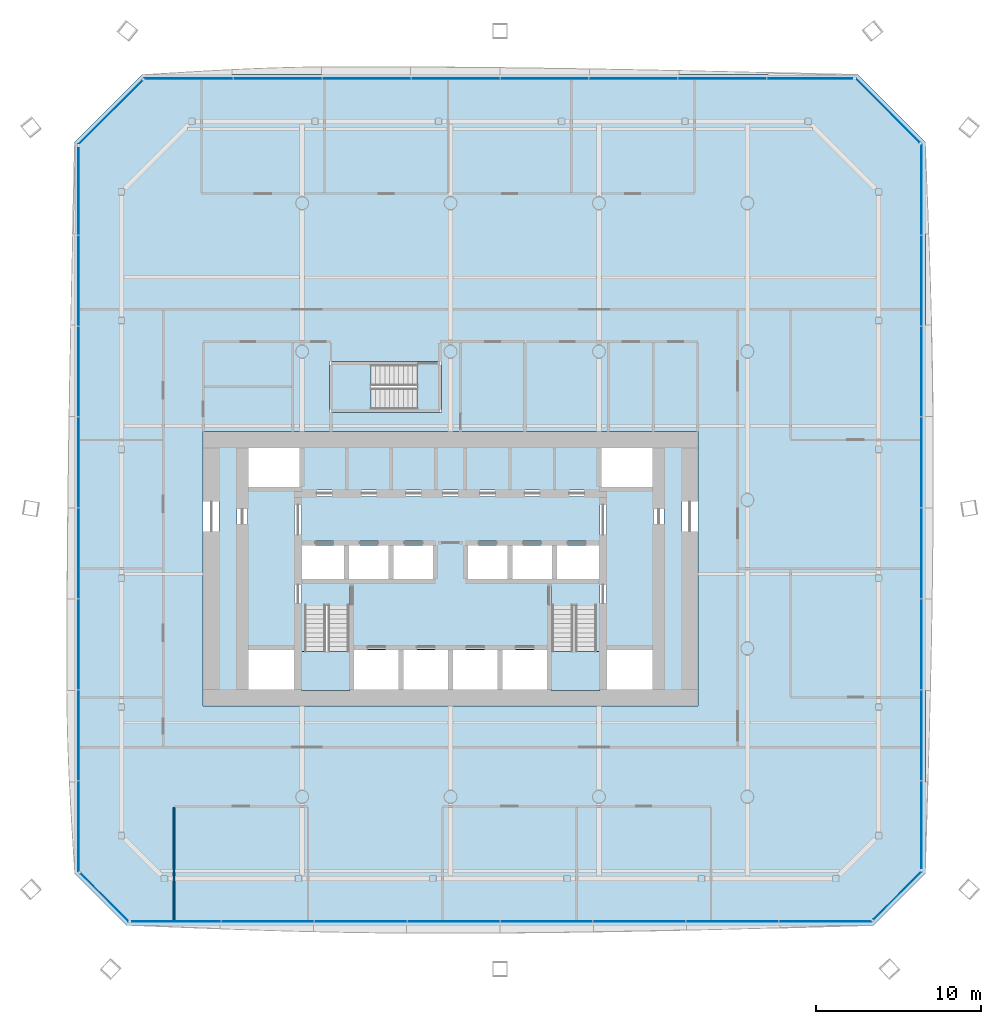
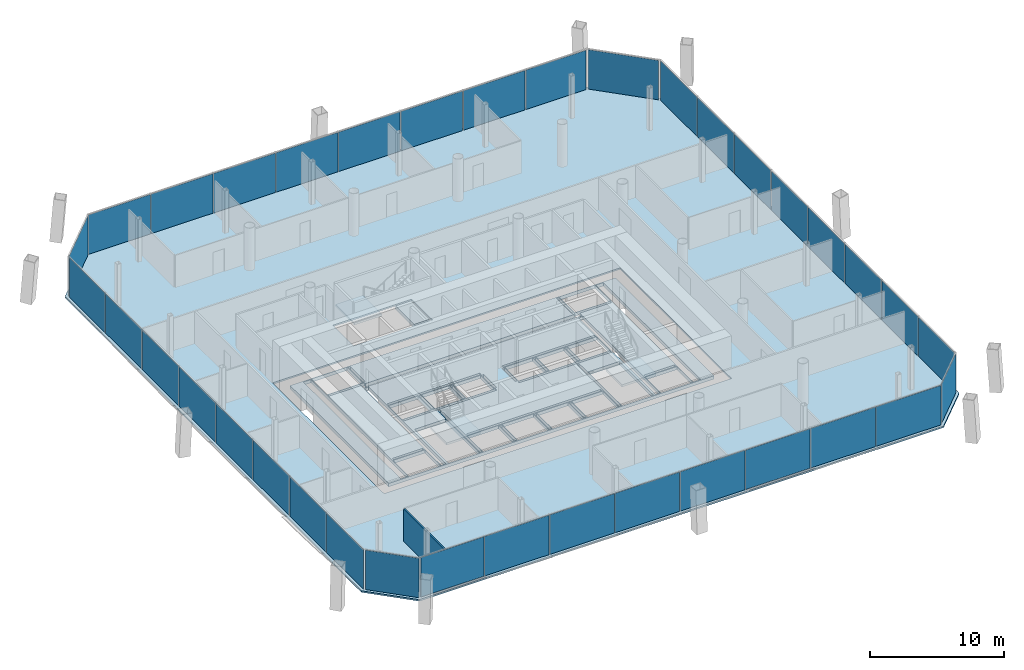
# One storey, part 11 of 20: 36 plates, 6 slabs, 1 wall, 11 elements without a shape of their own.
"""IFC4 building model written with IfcOpenShell, lengths in metres."""

from ifc_helpers import new_model, si_unit, direction, frame, frame_2d, origin, origin_2d, place, context, subcontext, project, spatial, polyline, rectangle, outline, extrude, material, layer, layer_set, type_object, element, aggregate, save


model = new_model("IFC4")

# Units and contexts
model_context = context("Model", 3, precision=1e-05, world=origin(), true_north=direction((0.0, 1.0)))
body_context = subcontext(model_context, "Body", "Model", "MODEL_VIEW")
ifc_project = project(units=[si_unit("LENGTHUNIT", "METRE"), si_unit("AREAUNIT", "SQUARE_METRE"), si_unit("VOLUMEUNIT", "CUBIC_METRE"), si_unit("PLANEANGLEUNIT", "RADIAN"), si_unit("MASSUNIT", "GRAM", prefix="KILO")], contexts=[model_context])

# Site, building, storey
site_placement = place(None, origin())
site = spatial("IfcSite", under=ifc_project, at=site_placement, CompositionType="ELEMENT")
building_placement = place(site_placement, origin())
building = spatial("IfcBuilding", under=site, at=building_placement, Name="Tskaro Facet Tower", CompositionType="ELEMENT")
storey_placement = place(building_placement, frame((0.0, 0.0, 66.0)))
storey = spatial("IfcBuildingStorey", under=building, at=storey_placement, Name="L15", CompositionType="ELEMENT", Elevation=66.0)

# Slab
ifc_material_1 = material(Name="Concrete C30/37", Category="concrete")
ifc_layer_1 = layer(ifc_material_1, 0.139892578125, Name="Concrete C30/37")
ifc_layer_set_1 = layer_set([ifc_layer_1], Name="Concrete C30/37")
slab_type_1 = type_object("IfcSlabType", Name="Composite deck floor slab", PredefinedType="FLOOR", material=ifc_layer_set_1)
slab_1_placement = place(storey_placement, frame((0.0, 0.0, -0.139892578125)))
element("IfcSlab", 1, at=slab_1_placement, inside=storey, type_object=slab_type_1, Name="Floor slab FS3 L15", PredefinedType="FLOOR", context=body_context, shape_type="SweptSolid", body=[
    extrude(outline(polyline([(-19.635009765625, -25.80908203125), (25.635009765625, -25.80908203125), (28.80908203125, -22.635009765625), (28.80908203125, 21.677978515625), (24.677978515625, 25.80908203125), (-18.677978515625, 25.80908203125), (-22.80908203125, 21.677978515625), (-22.80908203125, -22.635009765625), (-19.635009765625, -25.80908203125)]), holes=[polyline([(-15.0, -12.5), (15.0, -12.5), (15.0, 4.14990234375), (-15.0, 4.14990234375), (-15.0, -12.5)]), polyline([(-7.35009765625, 5.300048828125), (-0.550048828125, 5.300048828125), (-0.550048828125, 8.39990234375), (-7.35009765625, 8.39990234375), (-7.35009765625, 5.300048828125)])]), origin(), (0.0, 0.0, 1.0), 0.139892578125),
])

# Curtain wall, plates
ifc_material_2 = material(Name="Bronze anodised aluminium 6063-T6", Category="aluminium")
curtain_wall_type = type_object("IfcCurtainWallType", Name="Bronze office curtain wall (FW1)", PredefinedType="NOTDEFINED", material=ifc_material_2)
curtain_wall_1_placement = place(storey_placement, origin())
curtain_wall_1 = element("IfcCurtainWall", 2, at=curtain_wall_1_placement, inside=storey, type_object=curtain_wall_type, Name="FW1 south facet L15", PredefinedType="NOTDEFINED")
ifc_material_3 = material(Name="Bronze tinted glass", Category="glass")
ifc_layer_2 = layer(ifc_material_3, 0.031982421875, Name="Bronze tinted glass")
ifc_layer_set_2 = layer_set([ifc_layer_2], Name="Bronze tinted glass")
plate_type = type_object("IfcPlateType", Name="FW1 bronze-tinted unit glazing 32", PredefinedType="CURTAIN_PANEL", material=ifc_layer_set_2)
plate_1_placement = place(storey_placement, frame((-16.649658203125, -25.55908203125, 0.0), z_axis=(0.0, 0.0, 1.0), x_axis=(1.0, 0.0, 0.0)))
plate_1 = element("IfcPlate", 3, at=plate_1_placement, type_object=plate_type, Name="FW1 south glazing 1.1", PredefinedType="CURTAIN_PANEL", context=body_context, shape_type="SweptSolid", body=[
    extrude(rectangle(XDim=5.44287109375, YDim=0.031982421875, at=origin_2d()), origin(), (0.0, 0.0, 1.0), 3.60009765625),
])
plate_2_placement = place(storey_placement, frame((-11.081787109375, -25.55908203125, 0.0), z_axis=(0.0, 0.0, 1.0), x_axis=(1.0, 0.0, 0.0)))
plate_2 = element("IfcPlate", 4, at=plate_2_placement, type_object=plate_type, Name="FW1 south glazing 2.1", PredefinedType="CURTAIN_PANEL", context=body_context, shape_type="SweptSolid", body=[
    extrude(rectangle(XDim=5.57275390625, YDim=0.031982421875, at=origin_2d()), origin(), (0.0, 0.0, 1.0), 3.60009765625),
])
plate_3_placement = place(storey_placement, frame((-5.44921875, -25.55908203125, 0.0), z_axis=(0.0, 0.0, 1.0), x_axis=(1.0, 0.0, 0.0)))
plate_3 = element("IfcPlate", 5, at=plate_3_placement, type_object=plate_type, Name="FW1 south glazing 3.1", PredefinedType="CURTAIN_PANEL", context=body_context, shape_type="SweptSolid", body=[
    extrude(rectangle(XDim=5.57275390625, YDim=0.031982421875, at=origin_2d()), origin(), (0.0, 0.0, 1.0), 3.60009765625),
])
plate_4_placement = place(storey_placement, frame((0.18359375, -25.55908203125, 0.0), z_axis=(0.0, 0.0, 1.0), x_axis=(1.0, 0.0, 0.0)))
plate_4 = element("IfcPlate", 6, at=plate_4_placement, type_object=plate_type, Name="FW1 south glazing 4.1", PredefinedType="CURTAIN_PANEL", context=body_context, shape_type="SweptSolid", body=[
    extrude(rectangle(XDim=5.57275390625, YDim=0.031982421875, at=origin_2d()), origin(), (0.0, 0.0, 1.0), 3.60009765625),
])
plate_5_placement = place(storey_placement, frame((5.81640625, -25.55908203125, 0.0), z_axis=(0.0, 0.0, 1.0), x_axis=(1.0, 0.0, 0.0)))
plate_5 = element("IfcPlate", 7, at=plate_5_placement, type_object=plate_type, Name="FW1 south glazing 5.1", PredefinedType="CURTAIN_PANEL", context=body_context, shape_type="SweptSolid", body=[
    extrude(rectangle(XDim=5.57275390625, YDim=0.031982421875, at=origin_2d()), origin(), (0.0, 0.0, 1.0), 3.60009765625),
])
plate_6_placement = place(storey_placement, frame((11.44921875, -25.55908203125, 0.0), z_axis=(0.0, 0.0, 1.0), x_axis=(1.0, 0.0, 0.0)))
plate_6 = element("IfcPlate", 8, at=plate_6_placement, type_object=plate_type, Name="FW1 south glazing 6.1", PredefinedType="CURTAIN_PANEL", context=body_context, shape_type="SweptSolid", body=[
    extrude(rectangle(XDim=5.57275390625, YDim=0.031982421875, at=origin_2d()), origin(), (0.0, 0.0, 1.0), 3.60009765625),
])
plate_7_placement = place(storey_placement, frame((17.081787109375, -25.55908203125, 0.0), z_axis=(0.0, 0.0, 1.0), x_axis=(1.0, 0.0, 0.0)))
plate_7 = element("IfcPlate", 9, at=plate_7_placement, type_object=plate_type, Name="FW1 south glazing 7.1", PredefinedType="CURTAIN_PANEL", context=body_context, shape_type="SweptSolid", body=[
    extrude(rectangle(XDim=5.57275390625, YDim=0.031982421875, at=origin_2d()), origin(), (0.0, 0.0, 1.0), 3.60009765625),
])
plate_8_placement = place(storey_placement, frame((22.729736328125, -25.55908203125, 0.0), z_axis=(0.0, 0.0, 1.0), x_axis=(1.0, 0.0, 0.0)))
plate_8 = element("IfcPlate", 10, at=plate_8_placement, type_object=plate_type, Name="FW1 south glazing 8.1", PredefinedType="CURTAIN_PANEL", context=body_context, shape_type="SweptSolid", body=[
    extrude(rectangle(XDim=5.602783203125, YDim=0.031982421875, at=origin_2d()), origin(), (0.0, 0.0, 1.0), 3.60009765625),
])
aggregate(curtain_wall_1, [plate_1, plate_2, plate_3, plate_4, plate_5, plate_6, plate_7, plate_8])

# Curtain wall, plate
curtain_wall_2_placement = place(storey_placement, origin())
curtain_wall_2 = element("IfcCurtainWall", 11, at=curtain_wall_2_placement, inside=storey, type_object=curtain_wall_type, Name="FW1 south-east facet L15", PredefinedType="NOTDEFINED")
plate_9_placement = place(storey_placement, frame((27.1015625, -23.988525390625, 0.0), z_axis=(0.0, 0.0, 1.0), x_axis=(0.707106781187, 0.707106781187, 0.0)))
plate_9 = element("IfcPlate", 12, at=plate_9_placement, type_object=plate_type, Name="FW1 south-east glazing 1.1", PredefinedType="CURTAIN_PANEL", context=body_context, shape_type="SweptSolid", body=[
    extrude(rectangle(XDim=4.122314453125, YDim=0.031982421875, at=origin_2d()), origin(), (0.0, 0.0, 1.0), 3.60009765625),
])
aggregate(curtain_wall_2, [plate_9])

# Curtain wall, plates
curtain_wall_3_placement = place(storey_placement, origin())
curtain_wall_3 = element("IfcCurtainWall", 13, at=curtain_wall_3_placement, inside=storey, type_object=curtain_wall_type, Name="FW1 east facet L15", PredefinedType="NOTDEFINED")
plate_10_placement = place(storey_placement, frame((28.55908203125, -19.70947265625, 0.0), z_axis=(0.0, 0.0, 1.0), x_axis=(0.0, 1.0, 0.0)))
plate_10 = element("IfcPlate", 14, at=plate_10_placement, type_object=plate_type, Name="FW1 east glazing 1.1", PredefinedType="CURTAIN_PANEL", context=body_context, shape_type="SweptSolid", body=[
    extrude(rectangle(XDim=5.3232421875, YDim=0.031982421875, at=origin_2d()), origin(), (0.0, 0.0, 1.0), 3.60009765625),
])
plate_11_placement = place(storey_placement, frame((28.55908203125, -14.26123046875, 0.0), z_axis=(0.0, 0.0, 1.0), x_axis=(0.0, 1.0, 0.0)))
plate_11 = element("IfcPlate", 15, at=plate_11_placement, type_object=plate_type, Name="FW1 east glazing 2.1", PredefinedType="CURTAIN_PANEL", context=body_context, shape_type="SweptSolid", body=[
    extrude(rectangle(XDim=5.453125, YDim=0.031982421875, at=origin_2d()), origin(), (0.0, 0.0, 1.0), 3.60009765625),
])
plate_12_placement = place(storey_placement, frame((28.55908203125, -8.748291015625, 0.0), z_axis=(0.0, 0.0, 1.0), x_axis=(0.0, 1.0, 0.0)))
plate_12 = element("IfcPlate", 16, at=plate_12_placement, type_object=plate_type, Name="FW1 east glazing 3.1", PredefinedType="CURTAIN_PANEL", context=body_context, shape_type="SweptSolid", body=[
    extrude(rectangle(XDim=5.453125, YDim=0.031982421875, at=origin_2d()), origin(), (0.0, 0.0, 1.0), 3.60009765625),
])
plate_13_placement = place(storey_placement, frame((28.55908203125, -3.235107421875, 0.0), z_axis=(0.0, 0.0, 1.0), x_axis=(0.0, 1.0, 0.0)))
plate_13 = element("IfcPlate", 17, at=plate_13_placement, type_object=plate_type, Name="FW1 east glazing 4.1", PredefinedType="CURTAIN_PANEL", context=body_context, shape_type="SweptSolid", body=[
    extrude(rectangle(XDim=5.453125, YDim=0.031982421875, at=origin_2d()), origin(), (0.0, 0.0, 1.0), 3.60009765625),
])
plate_14_placement = place(storey_placement, frame((28.55908203125, 2.278076171875, 0.0), z_axis=(0.0, 0.0, 1.0), x_axis=(0.0, 1.0, 0.0)))
plate_14 = element("IfcPlate", 18, at=plate_14_placement, type_object=plate_type, Name="FW1 east glazing 5.1", PredefinedType="CURTAIN_PANEL", context=body_context, shape_type="SweptSolid", body=[
    extrude(rectangle(XDim=5.453125, YDim=0.031982421875, at=origin_2d()), origin(), (0.0, 0.0, 1.0), 3.60009765625),
])
plate_15_placement = place(storey_placement, frame((28.55908203125, 7.791259765625, 0.0), z_axis=(0.0, 0.0, 1.0), x_axis=(0.0, 1.0, 0.0)))
plate_15 = element("IfcPlate", 19, at=plate_15_placement, type_object=plate_type, Name="FW1 east glazing 6.1", PredefinedType="CURTAIN_PANEL", context=body_context, shape_type="SweptSolid", body=[
    extrude(rectangle(XDim=5.453125, YDim=0.031982421875, at=origin_2d()), origin(), (0.0, 0.0, 1.0), 3.60009765625),
])
plate_16_placement = place(storey_placement, frame((28.55908203125, 13.30419921875, 0.0), z_axis=(0.0, 0.0, 1.0), x_axis=(0.0, 1.0, 0.0)))
plate_16 = element("IfcPlate", 20, at=plate_16_placement, type_object=plate_type, Name="FW1 east glazing 7.1", PredefinedType="CURTAIN_PANEL", context=body_context, shape_type="SweptSolid", body=[
    extrude(rectangle(XDim=5.453125, YDim=0.031982421875, at=origin_2d()), origin(), (0.0, 0.0, 1.0), 3.60009765625),
])
plate_17_placement = place(storey_placement, frame((28.55908203125, 18.83251953125, 0.0), z_axis=(0.0, 0.0, 1.0), x_axis=(0.0, 1.0, 0.0)))
plate_17 = element("IfcPlate", 21, at=plate_17_placement, type_object=plate_type, Name="FW1 east glazing 8.1", PredefinedType="CURTAIN_PANEL", context=body_context, shape_type="SweptSolid", body=[
    extrude(rectangle(XDim=5.483154296875, YDim=0.031982421875, at=origin_2d()), origin(), (0.0, 0.0, 1.0), 3.60009765625),
])
aggregate(curtain_wall_3, [plate_10, plate_11, plate_12, plate_13, plate_14, plate_15, plate_16, plate_17])

# Curtain wall, plate
curtain_wall_4_placement = place(storey_placement, origin())
curtain_wall_4 = element("IfcCurtainWall", 22, at=curtain_wall_4_placement, inside=storey, type_object=curtain_wall_type, Name="FW1 north-east facet L15", PredefinedType="NOTDEFINED")
plate_18_placement = place(storey_placement, frame((26.510009765625, 23.623046875, 0.0), z_axis=(0.0, 0.0, 1.0), x_axis=(-0.707106781187, 0.707106781187, 0.0)))
plate_18 = element("IfcPlate", 23, at=plate_18_placement, type_object=plate_type, Name="FW1 north-east glazing 1.1", PredefinedType="CURTAIN_PANEL", context=body_context, shape_type="SweptSolid", body=[
    extrude(rectangle(XDim=5.4755859375, YDim=0.031982421875, at=origin_2d()), origin(), (0.0, 0.0, 1.0), 3.60009765625),
])
aggregate(curtain_wall_4, [plate_18])

# Curtain wall, plates
curtain_wall_5_placement = place(storey_placement, origin())
curtain_wall_5 = element("IfcCurtainWall", 24, at=curtain_wall_5_placement, inside=storey, type_object=curtain_wall_type, Name="FW1 north facet L15", PredefinedType="NOTDEFINED")
plate_19_placement = place(storey_placement, frame((21.812255859375, 25.55908203125, 0.0), z_axis=(0.0, 0.0, 1.0), x_axis=(-1.0, 0.0, 0.0)))
plate_19 = element("IfcPlate", 25, at=plate_19_placement, type_object=plate_type, Name="FW1 north glazing 1.1", PredefinedType="CURTAIN_PANEL", context=body_context, shape_type="SweptSolid", body=[
    extrude(rectangle(XDim=5.20361328125, YDim=0.031982421875, at=origin_2d()), origin(), (0.0, 0.0, 1.0), 3.60009765625),
])
plate_20_placement = place(storey_placement, frame((16.483642578125, 25.55908203125, 0.0), z_axis=(0.0, 0.0, 1.0), x_axis=(-1.0, 0.0, 0.0)))
plate_20 = element("IfcPlate", 26, at=plate_20_placement, type_object=plate_type, Name="FW1 north glazing 2.1", PredefinedType="CURTAIN_PANEL", context=body_context, shape_type="SweptSolid", body=[
    extrude(rectangle(XDim=5.33349609375, YDim=0.031982421875, at=origin_2d()), origin(), (0.0, 0.0, 1.0), 3.60009765625),
])
plate_21_placement = place(storey_placement, frame((11.09033203125, 25.55908203125, 0.0), z_axis=(0.0, 0.0, 1.0), x_axis=(-1.0, 0.0, 0.0)))
plate_21 = element("IfcPlate", 27, at=plate_21_placement, type_object=plate_type, Name="FW1 north glazing 3.1", PredefinedType="CURTAIN_PANEL", context=body_context, shape_type="SweptSolid", body=[
    extrude(rectangle(XDim=5.33349609375, YDim=0.031982421875, at=origin_2d()), origin(), (0.0, 0.0, 1.0), 3.60009765625),
])
plate_22_placement = place(storey_placement, frame((5.69677734375, 25.55908203125, 0.0), z_axis=(0.0, 0.0, 1.0), x_axis=(-1.0, 0.0, 0.0)))
plate_22 = element("IfcPlate", 28, at=plate_22_placement, type_object=plate_type, Name="FW1 north glazing 4.1", PredefinedType="CURTAIN_PANEL", context=body_context, shape_type="SweptSolid", body=[
    extrude(rectangle(XDim=5.33349609375, YDim=0.031982421875, at=origin_2d()), origin(), (0.0, 0.0, 1.0), 3.60009765625),
])
plate_23_placement = place(storey_placement, frame((0.30322265625, 25.55908203125, 0.0), z_axis=(0.0, 0.0, 1.0), x_axis=(-1.0, 0.0, 0.0)))
plate_23 = element("IfcPlate", 29, at=plate_23_placement, type_object=plate_type, Name="FW1 north glazing 5.1", PredefinedType="CURTAIN_PANEL", context=body_context, shape_type="SweptSolid", body=[
    extrude(rectangle(XDim=5.33349609375, YDim=0.031982421875, at=origin_2d()), origin(), (0.0, 0.0, 1.0), 3.60009765625),
])
plate_24_placement = place(storey_placement, frame((-5.09033203125, 25.55908203125, 0.0), z_axis=(0.0, 0.0, 1.0), x_axis=(-1.0, 0.0, 0.0)))
plate_24 = element("IfcPlate", 30, at=plate_24_placement, type_object=plate_type, Name="FW1 north glazing 6.1", PredefinedType="CURTAIN_PANEL", context=body_context, shape_type="SweptSolid", body=[
    extrude(rectangle(XDim=5.33349609375, YDim=0.031982421875, at=origin_2d()), origin(), (0.0, 0.0, 1.0), 3.60009765625),
])
plate_25_placement = place(storey_placement, frame((-10.483642578125, 25.55908203125, 0.0), z_axis=(0.0, 0.0, 1.0), x_axis=(-1.0, 0.0, 0.0)))
plate_25 = element("IfcPlate", 31, at=plate_25_placement, type_object=plate_type, Name="FW1 north glazing 7.1", PredefinedType="CURTAIN_PANEL", context=body_context, shape_type="SweptSolid", body=[
    extrude(rectangle(XDim=5.33349609375, YDim=0.031982421875, at=origin_2d()), origin(), (0.0, 0.0, 1.0), 3.60009765625),
])
plate_26_placement = place(storey_placement, frame((-15.892333984375, 25.55908203125, 0.0), z_axis=(0.0, 0.0, 1.0), x_axis=(-1.0, 0.0, 0.0)))
plate_26 = element("IfcPlate", 32, at=plate_26_placement, type_object=plate_type, Name="FW1 north glazing 8.1", PredefinedType="CURTAIN_PANEL", context=body_context, shape_type="SweptSolid", body=[
    extrude(rectangle(XDim=5.363525390625, YDim=0.031982421875, at=origin_2d()), origin(), (0.0, 0.0, 1.0), 3.60009765625),
])
aggregate(curtain_wall_5, [plate_19, plate_20, plate_21, plate_22, plate_23, plate_24, plate_25, plate_26])

# Curtain wall, plate
curtain_wall_6_placement = place(storey_placement, origin())
curtain_wall_6 = element("IfcCurtainWall", 33, at=curtain_wall_6_placement, inside=storey, type_object=curtain_wall_type, Name="FW1 north-west facet L15", PredefinedType="NOTDEFINED")
plate_27_placement = place(storey_placement, frame((-20.623046875, 23.510009765625, 0.0), z_axis=(0.0, 0.0, 1.0), x_axis=(-0.707106781187, -0.707106781187, 0.0)))
plate_27 = element("IfcPlate", 34, at=plate_27_placement, type_object=plate_type, Name="FW1 north-west glazing 1.1", PredefinedType="CURTAIN_PANEL", context=body_context, shape_type="SweptSolid", body=[
    extrude(rectangle(XDim=5.4755859375, YDim=0.031982421875, at=origin_2d()), origin(), (0.0, 0.0, 1.0), 3.60009765625),
])
aggregate(curtain_wall_6, [plate_27])

# Curtain wall, plates
curtain_wall_7_placement = place(storey_placement, origin())
curtain_wall_7 = element("IfcCurtainWall", 35, at=curtain_wall_7_placement, inside=storey, type_object=curtain_wall_type, Name="FW1 west facet L15", PredefinedType="NOTDEFINED")
plate_28_placement = place(storey_placement, frame((-22.55908203125, 18.75244140625, 0.0), z_axis=(0.0, 0.0, 1.0), x_axis=(0.0, -1.0, 0.0)))
plate_28 = element("IfcPlate", 36, at=plate_28_placement, type_object=plate_type, Name="FW1 west glazing 1.1", PredefinedType="CURTAIN_PANEL", context=body_context, shape_type="SweptSolid", body=[
    extrude(rectangle(XDim=5.3232421875, YDim=0.031982421875, at=origin_2d()), origin(), (0.0, 0.0, 1.0), 3.60009765625),
])
plate_29_placement = place(storey_placement, frame((-22.55908203125, 13.30419921875, 0.0), z_axis=(0.0, 0.0, 1.0), x_axis=(0.0, -1.0, 0.0)))
plate_29 = element("IfcPlate", 37, at=plate_29_placement, type_object=plate_type, Name="FW1 west glazing 2.1", PredefinedType="CURTAIN_PANEL", context=body_context, shape_type="SweptSolid", body=[
    extrude(rectangle(XDim=5.453125, YDim=0.031982421875, at=origin_2d()), origin(), (0.0, 0.0, 1.0), 3.60009765625),
])
plate_30_placement = place(storey_placement, frame((-22.55908203125, 7.791259765625, 0.0), z_axis=(0.0, 0.0, 1.0), x_axis=(0.0, -1.0, 0.0)))
plate_30 = element("IfcPlate", 38, at=plate_30_placement, type_object=plate_type, Name="FW1 west glazing 3.1", PredefinedType="CURTAIN_PANEL", context=body_context, shape_type="SweptSolid", body=[
    extrude(rectangle(XDim=5.453125, YDim=0.031982421875, at=origin_2d()), origin(), (0.0, 0.0, 1.0), 3.60009765625),
])
plate_31_placement = place(storey_placement, frame((-22.55908203125, 2.278076171875, 0.0), z_axis=(0.0, 0.0, 1.0), x_axis=(0.0, -1.0, 0.0)))
plate_31 = element("IfcPlate", 39, at=plate_31_placement, type_object=plate_type, Name="FW1 west glazing 4.1", PredefinedType="CURTAIN_PANEL", context=body_context, shape_type="SweptSolid", body=[
    extrude(rectangle(XDim=5.453125, YDim=0.031982421875, at=origin_2d()), origin(), (0.0, 0.0, 1.0), 3.60009765625),
])
plate_32_placement = place(storey_placement, frame((-22.55908203125, -3.235107421875, 0.0), z_axis=(0.0, 0.0, 1.0), x_axis=(0.0, -1.0, 0.0)))
plate_32 = element("IfcPlate", 40, at=plate_32_placement, type_object=plate_type, Name="FW1 west glazing 5.1", PredefinedType="CURTAIN_PANEL", context=body_context, shape_type="SweptSolid", body=[
    extrude(rectangle(XDim=5.453125, YDim=0.031982421875, at=origin_2d()), origin(), (0.0, 0.0, 1.0), 3.60009765625),
])
plate_33_placement = place(storey_placement, frame((-22.55908203125, -8.748291015625, 0.0), z_axis=(0.0, 0.0, 1.0), x_axis=(0.0, -1.0, 0.0)))
plate_33 = element("IfcPlate", 41, at=plate_33_placement, type_object=plate_type, Name="FW1 west glazing 6.1", PredefinedType="CURTAIN_PANEL", context=body_context, shape_type="SweptSolid", body=[
    extrude(rectangle(XDim=5.453125, YDim=0.031982421875, at=origin_2d()), origin(), (0.0, 0.0, 1.0), 3.60009765625),
])
plate_34_placement = place(storey_placement, frame((-22.55908203125, -14.26123046875, 0.0), z_axis=(0.0, 0.0, 1.0), x_axis=(0.0, -1.0, 0.0)))
plate_34 = element("IfcPlate", 42, at=plate_34_placement, type_object=plate_type, Name="FW1 west glazing 7.1", PredefinedType="CURTAIN_PANEL", context=body_context, shape_type="SweptSolid", body=[
    extrude(rectangle(XDim=5.453125, YDim=0.031982421875, at=origin_2d()), origin(), (0.0, 0.0, 1.0), 3.60009765625),
])
plate_35_placement = place(storey_placement, frame((-22.55908203125, -19.78955078125, 0.0), z_axis=(0.0, 0.0, 1.0), x_axis=(0.0, -1.0, 0.0)))
plate_35 = element("IfcPlate", 43, at=plate_35_placement, type_object=plate_type, Name="FW1 west glazing 8.1", PredefinedType="CURTAIN_PANEL", context=body_context, shape_type="SweptSolid", body=[
    extrude(rectangle(XDim=5.483154296875, YDim=0.031982421875, at=origin_2d()), origin(), (0.0, 0.0, 1.0), 3.60009765625),
])
aggregate(curtain_wall_7, [plate_28, plate_29, plate_30, plate_31, plate_32, plate_33, plate_34, plate_35])

# Curtain wall, plate
curtain_wall_8_placement = place(storey_placement, origin())
curtain_wall_8 = element("IfcCurtainWall", 44, at=curtain_wall_8_placement, inside=storey, type_object=curtain_wall_type, Name="FW1 south-west facet L15", PredefinedType="NOTDEFINED")
plate_36_placement = place(storey_placement, frame((-20.988525390625, -24.1015625, 0.0), z_axis=(0.0, 0.0, 1.0), x_axis=(0.707106781187, -0.707106781187, 0.0)))
plate_36 = element("IfcPlate", 45, at=plate_36_placement, type_object=plate_type, Name="FW1 south-west glazing 1.1", PredefinedType="CURTAIN_PANEL", context=body_context, shape_type="SweptSolid", body=[
    extrude(rectangle(XDim=4.122314453125, YDim=0.031982421875, at=origin_2d()), origin(), (0.0, 0.0, 1.0), 3.60009765625),
])
aggregate(curtain_wall_8, [plate_36])

# Stair, slab
ifc_material_4 = material(Name="Concrete C40/50", Category="concrete")
stair_type = type_object("IfcStairType", Name="ST-TWR", PredefinedType="HALF_TURN_STAIR", material=ifc_material_4)
stair_1_placement = place(storey_placement, origin())
stair_1 = element("IfcStair", 46, at=stair_1_placement, inside=storey, type_object=stair_type, Name="L15 Exit stair 1", PredefinedType="HALF_TURN_STAIR")
ifc_layer_3 = layer(ifc_material_4, 0.199951171875, Name="Concrete C40/50")
ifc_layer_set_3 = layer_set([ifc_layer_3], Name="Concrete C40/50")
slab_type_2 = type_object("IfcSlabType", Name="SL-LANDING", PredefinedType="LANDING", material=ifc_layer_set_3)
slab_2_placement = place(storey_placement, frame((0.0, 0.0, 1.75)))
slab_2 = element("IfcSlab", 47, at=slab_2_placement, type_object=slab_type_2, Name="ST-1 landing 1", PredefinedType="LANDING", context=body_context, shape_type="SweptSolid", body=[
    extrude(outline(polyline([(-9.050048828125, -11.550048828125), (-6.10009765625, -11.550048828125), (-6.10009765625, -9.175048828125), (-9.050048828125, -9.175048828125), (-9.050048828125, -11.550048828125)])), origin(), (0.0, 0.0, 1.0), 0.199951171875),
])
aggregate(stair_1, [slab_2])

stair_2_placement = place(storey_placement, origin())
stair_2 = element("IfcStair", 48, at=stair_2_placement, inside=storey, type_object=stair_type, Name="L15 Exit stair 2", PredefinedType="HALF_TURN_STAIR")
slab_3_placement = place(storey_placement, frame((0.0, 0.0, 1.75)))
slab_3 = element("IfcSlab", 49, at=slab_3_placement, type_object=slab_type_2, Name="ST-2 landing 1", PredefinedType="LANDING", context=body_context, shape_type="SweptSolid", body=[
    extrude(outline(polyline([(6.10009765625, -11.550048828125), (9.050048828125, -11.550048828125), (9.050048828125, -9.175048828125), (6.10009765625, -9.175048828125), (6.10009765625, -11.550048828125)])), origin(), (0.0, 0.0, 1.0), 0.199951171875),
])
aggregate(stair_2, [slab_3])

stair_3_placement = place(storey_placement, origin())
stair_3 = element("IfcStair", 50, at=stair_3_placement, inside=storey, type_object=stair_type, Name="L15 Exit stair 3", PredefinedType="HALF_TURN_STAIR")
slab_4_placement = place(storey_placement, frame((0.0, 0.0, 1.75)))
slab_4 = element("IfcSlab", 51, at=slab_4_placement, type_object=slab_type_2, Name="ST-3 landing 1", PredefinedType="LANDING", context=body_context, shape_type="SweptSolid", body=[
    extrude(outline(polyline([(-7.199951171875, 5.449951171875), (-4.824951171875, 5.449951171875), (-4.824951171875, 8.25), (-7.199951171875, 8.25), (-7.199951171875, 5.449951171875)])), origin(), (0.0, 0.0, 1.0), 0.199951171875),
])
aggregate(stair_3, [slab_4])

# Slabs
ifc_material_5 = material(Name="Concrete C60/75", Category="concrete")
ifc_layer_4 = layer(ifc_material_5, 0.300048828125, Name="Concrete C60/75")
ifc_layer_set_4 = layer_set([ifc_layer_4], Name="Concrete C60/75")
slab_type_3 = type_object("IfcSlabType", Name="SLAB-CORE", PredefinedType="FLOOR", material=ifc_layer_set_4)
slab_5_placement = place(storey_placement, frame((0.0, 0.0, -0.300048828125)))
element("IfcSlab", 52, at=slab_5_placement, inside=storey, type_object=slab_type_3, Name="Core floor slab 1", PredefinedType="FLOOR", context=body_context, shape_type="SweptSolid", body=[
    extrude(outline(polyline([(-14.050048828125, 3.199951171875), (14.050048828125, 3.199951171875), (14.050048828125, 3.10009765625), (14.050048828125, -11.449951171875), (14.050048828125, -11.550048828125), (-14.050048828125, -11.550048828125), (-14.050048828125, -11.449951171875), (-14.050048828125, 3.10009765625), (-14.050048828125, 3.199951171875)]), holes=[polyline([(-9.5, -9.10009765625), (-12.25, -9.10009765625), (-12.25, -11.5), (-9.5, -11.5), (-9.5, -9.10009765625)]), polyline([(-3.14990234375, -9.10009765625), (-5.85009765625, -9.10009765625), (-5.85009765625, -11.5), (-3.14990234375, -11.5), (-3.14990234375, -9.10009765625)]), polyline([(-12.199951171875, -8.85009765625), (-12.199951171875, -9.050048828125), (-9.550048828125, -9.050048828125), (-9.550048828125, -8.85009765625), (-12.199951171875, -8.85009765625)]), polyline([(-6.10009765625, -11.449951171875), (-5.89990234375, -11.449951171875), (-5.89990234375, -5.14990234375), (-6.10009765625, -5.14990234375), (-6.10009765625, -11.449951171875)]), polyline([(-9.449951171875, 0.10009765625), (-9.449951171875, -11.449951171875), (-9.050048828125, -11.449951171875), (-9.050048828125, 0.10009765625), (-9.449951171875, 0.10009765625)]), polyline([(-8.949951171875, -4.85009765625), (-8.949951171875, -5.050048828125), (-0.949951171875, -5.050048828125), (-0.949951171875, -4.85009765625), (-8.949951171875, -4.85009765625)]), polyline([(-12.949951171875, -11.449951171875), (-12.300048828125, -11.449951171875), (-12.300048828125, 3.10009765625), (-12.949951171875, 3.10009765625), (-12.949951171875, -11.449951171875)]), polyline([(-6.449951171875, -4.800048828125), (-6.449951171875, -2.75), (-9.0, -2.75), (-9.0, -4.800048828125), (-6.449951171875, -4.800048828125)]), polyline([(-3.75, -2.75), (-6.14990234375, -2.75), (-6.14990234375, -4.800048828125), (-3.75, -4.800048828125), (-3.75, -2.75)]), polyline([(-6.39990234375, -2.800048828125), (-6.39990234375, -4.75), (-6.199951171875, -4.75), (-6.199951171875, -2.800048828125), (-6.39990234375, -2.800048828125)]), polyline([(-8.949951171875, -2.5), (-8.949951171875, -2.699951171875), (-0.949951171875, -2.699951171875), (-0.949951171875, -2.5), (-8.949951171875, -2.5)]), polyline([(9.449951171875, 0.550048828125), (12.199951171875, 0.550048828125), (12.199951171875, 0.75), (9.050048828125, 0.75), (9.050048828125, 0.60009765625), (-9.050048828125, 0.60009765625), (-9.050048828125, 0.75), (-12.199951171875, 0.75), (-12.199951171875, 0.550048828125), (-9.449951171875, 0.550048828125), (-9.449951171875, 0.199951171875), (9.449951171875, 0.199951171875), (9.449951171875, 0.550048828125)]), polyline([(-9.10009765625, 3.10009765625), (-9.10009765625, 0.85009765625), (-8.89990234375, 0.85009765625), (-8.89990234375, 3.10009765625), (-9.10009765625, 3.10009765625)]), polyline([(-9.14990234375, 0.800048828125), (-9.14990234375, 3.14990234375), (-12.25, 3.14990234375), (-12.25, 0.800048828125), (-9.14990234375, 0.800048828125)]), polyline([(2.89990234375, -11.449951171875), (3.10009765625, -11.449951171875), (3.10009765625, -9.14990234375), (2.89990234375, -9.14990234375), (2.89990234375, -11.449951171875)]), polyline([(-3.10009765625, -9.14990234375), (-3.10009765625, -11.449951171875), (-2.89990234375, -11.449951171875), (-2.89990234375, -9.14990234375), (-3.10009765625, -9.14990234375)]), polyline([(2.85009765625, -9.10009765625), (0.14990234375, -9.10009765625), (0.14990234375, -11.5), (2.85009765625, -11.5), (2.85009765625, -9.10009765625)]), polyline([(-0.14990234375, -9.10009765625), (-2.85009765625, -9.10009765625), (-2.85009765625, -11.5), (-0.14990234375, -11.5), (-0.14990234375, -9.10009765625)]), polyline([(-0.10009765625, -9.14990234375), (-0.10009765625, -11.449951171875), (0.10009765625, -11.449951171875), (0.10009765625, -9.14990234375), (-0.10009765625, -9.14990234375)]), polyline([(-5.800048828125, -8.85009765625), (-5.800048828125, -9.050048828125), (5.800048828125, -9.050048828125), (5.800048828125, -8.85009765625), (-5.800048828125, -8.85009765625)]), polyline([(-1.0, -2.800048828125), (-1.0, -4.75), (-0.800048828125, -4.75), (-0.800048828125, -2.800048828125), (-1.0, -2.800048828125)]), polyline([(0.800048828125, -4.75), (1.0, -4.75), (1.0, -2.800048828125), (0.800048828125, -2.800048828125), (0.800048828125, -4.75)]), polyline([(-1.050048828125, -4.800048828125), (-1.050048828125, -2.75), (-3.449951171875, -2.75), (-3.449951171875, -4.800048828125), (-1.050048828125, -4.800048828125)]), polyline([(1.050048828125, -2.75), (1.050048828125, -4.800048828125), (3.449951171875, -4.800048828125), (3.449951171875, -2.75), (1.050048828125, -2.75)]), polyline([(-3.699951171875, -4.75), (-3.5, -4.75), (-3.5, -2.800048828125), (-3.699951171875, -2.800048828125), (-3.699951171875, -4.75)]), polyline([(3.14990234375, -9.10009765625), (3.14990234375, -11.5), (5.85009765625, -11.5), (5.85009765625, -9.10009765625), (3.14990234375, -9.10009765625)]), polyline([(12.25, -11.5), (12.25, -9.10009765625), (9.5, -9.10009765625), (9.5, -11.5), (12.25, -11.5)]), polyline([(9.550048828125, -8.85009765625), (9.550048828125, -9.050048828125), (12.199951171875, -9.050048828125), (12.199951171875, -8.85009765625), (9.550048828125, -8.85009765625)]), polyline([(5.89990234375, -11.449951171875), (6.10009765625, -11.449951171875), (6.10009765625, -5.14990234375), (5.89990234375, -5.14990234375), (5.89990234375, -11.449951171875)]), polyline([(9.050048828125, 0.10009765625), (9.050048828125, -11.449951171875), (9.449951171875, -11.449951171875), (9.449951171875, 0.10009765625), (9.050048828125, 0.10009765625)]), polyline([(0.949951171875, -4.85009765625), (0.949951171875, -5.050048828125), (8.949951171875, -5.050048828125), (8.949951171875, -4.85009765625), (0.949951171875, -4.85009765625)]), polyline([(12.300048828125, -11.449951171875), (12.949951171875, -11.449951171875), (12.949951171875, 3.10009765625), (12.300048828125, 3.10009765625), (12.300048828125, -11.449951171875)]), polyline([(3.5, -2.800048828125), (3.5, -4.75), (3.699951171875, -4.75), (3.699951171875, -2.800048828125), (3.5, -2.800048828125)]), polyline([(6.14990234375, -2.75), (3.75, -2.75), (3.75, -4.800048828125), (6.14990234375, -4.800048828125), (6.14990234375, -2.75)]), polyline([(6.199951171875, -2.800048828125), (6.199951171875, -4.75), (6.39990234375, -4.75), (6.39990234375, -2.800048828125), (6.199951171875, -2.800048828125)]), polyline([(6.449951171875, -2.75), (6.449951171875, -4.800048828125), (9.0, -4.800048828125), (9.0, -2.75), (6.449951171875, -2.75)]), polyline([(0.949951171875, -2.5), (0.949951171875, -2.699951171875), (8.949951171875, -2.699951171875), (8.949951171875, -2.5), (0.949951171875, -2.5)]), polyline([(8.89990234375, 3.10009765625), (8.89990234375, 0.85009765625), (9.10009765625, 0.85009765625), (9.10009765625, 3.10009765625), (8.89990234375, 3.10009765625)]), polyline([(9.14990234375, 0.800048828125), (12.25, 0.800048828125), (12.25, 3.14990234375), (9.14990234375, 3.14990234375), (9.14990234375, 0.800048828125)]), polyline([(-8.85009765625, -11.5), (-6.14990234375, -11.5), (-6.14990234375, -6.39501953125), (-8.85009765625, -6.39501953125), (-8.85009765625, -11.5)]), polyline([(6.14990234375, -6.39501953125), (6.14990234375, -11.5), (8.85009765625, -11.5), (8.85009765625, -6.39501953125), (6.14990234375, -6.39501953125)])]), origin(), (0.0, 0.0, 1.0), 0.300048828125),
])
slab_6_placement = place(storey_placement, frame((0.0, 0.0, -0.300048828125)))
element("IfcSlab", 53, at=slab_6_placement, inside=storey, type_object=slab_type_3, Name="Stair 3 floor landing 1", PredefinedType="FLOOR", context=body_context, shape_type="SweptSolid", body=[
    extrude(outline(polyline([(-2.02490234375, 5.449951171875), (-0.699951171875, 5.449951171875), (-0.699951171875, 8.25), (-2.02490234375, 8.25), (-2.02490234375, 5.449951171875)])), origin(), (0.0, 0.0, 1.0), 0.300048828125),
])

# Wall
ifc_material_6 = material(Name="Gypsum board on steel studs", Category="steel")
ifc_layer_5 = layer(ifc_material_6, 0.125, Name="Gypsum board on steel studs")
ifc_layer_set_5 = layer_set([ifc_layer_5], Name="Gypsum board on steel studs")
wall_type = type_object("IfcWallType", Name="PART", PredefinedType="PARTITIONING", material=ifc_layer_set_5)
wall_placement = place(storey_placement, frame((-16.783935546875, -25.509033203125, 0.0), z_axis=(0.0, 0.0, 1.0), x_axis=(0.0, 1.0, 0.0)))
element("IfcWall", 54, at=wall_placement, inside=storey, type_object=wall_type, Name="Partition W029", PredefinedType="PARTITIONING", context=body_context, shape_type="SweptSolid", body=[
    extrude(rectangle(XDim=6.866455078125, YDim=0.125, at=frame_2d((3.43310546875, 0.0))), origin(), (0.0, 0.0, 1.0), 2.9599609375),
])

save(model, "model.ifc")
